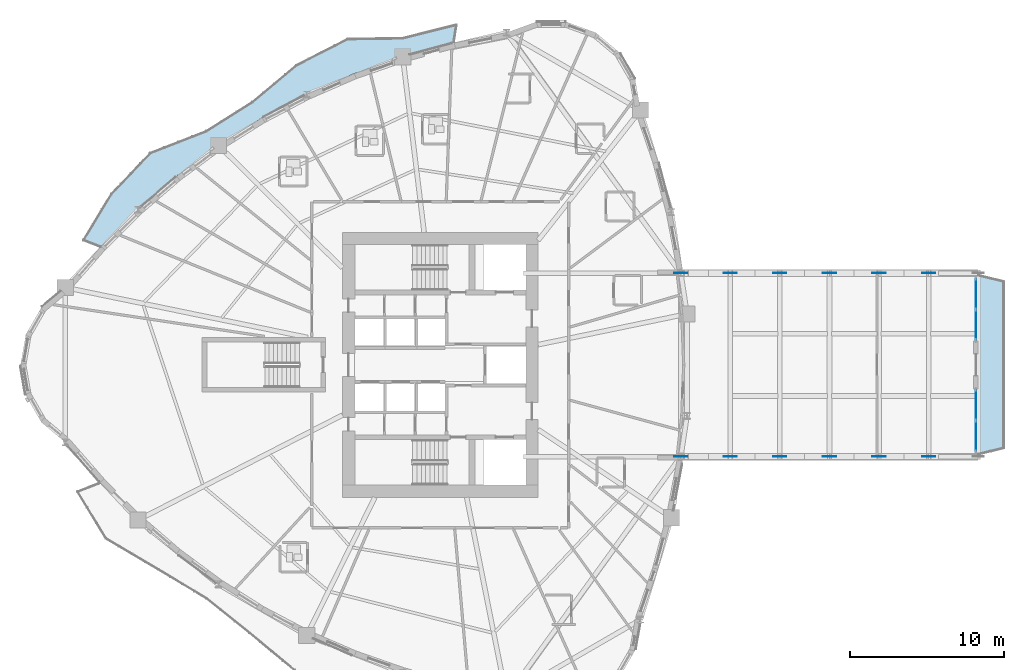
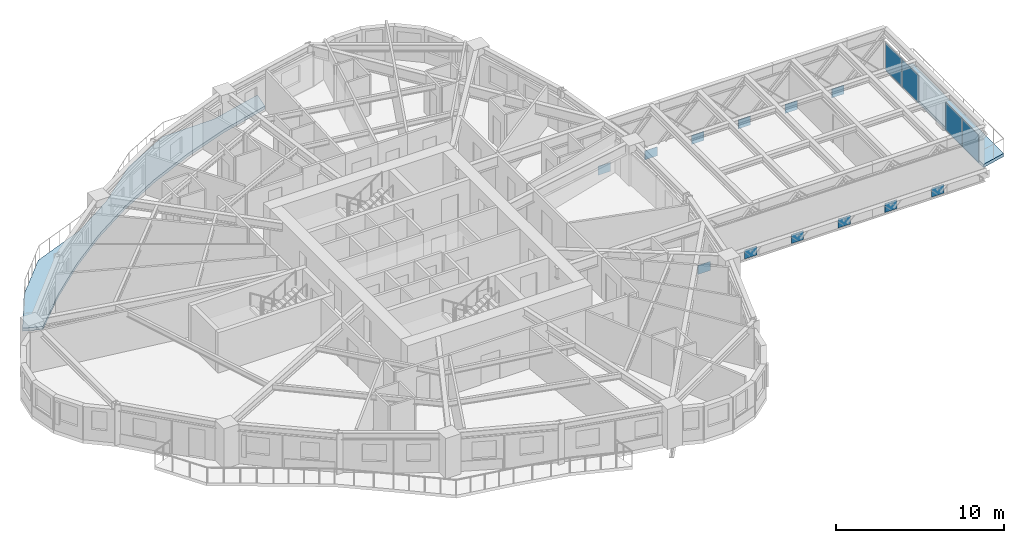
# One storey, part 4 of 18: 16 plates, 2 slabs, 2 elements without a shape of their own.
"""IFC4 building model written with IfcOpenShell, lengths in metres."""

from ifc_helpers import new_model, si_unit, direction, frame, origin, origin_2d, place, context, subcontext, project, spatial, polyline, rectangle, outline, extrude, source, transform, mapped, material, layer, layer_set, type_object, element, aggregate, save


model = new_model("IFC4")

# Units and contexts
model_context = context("Model", 3, precision=1e-05, world=origin(), true_north=direction((0.0, 1.0)))
body_context = subcontext(model_context, "Body", "Model", "MODEL_VIEW")
ifc_project = project(units=[si_unit("LENGTHUNIT", "METRE"), si_unit("AREAUNIT", "SQUARE_METRE"), si_unit("VOLUMEUNIT", "CUBIC_METRE"), si_unit("PLANEANGLEUNIT", "RADIAN"), si_unit("MASSUNIT", "GRAM", prefix="KILO")], contexts=[model_context])

# Site, building, storey
site_placement = place(None, origin())
site = spatial("IfcSite", under=ifc_project, at=site_placement, CompositionType="ELEMENT")
building_placement = place(site_placement, origin())
building = spatial("IfcBuilding", under=site, at=building_placement, Name="Qafzar Sky-Pleat Residences", CompositionType="ELEMENT")
storey_placement = place(building_placement, frame((0.0, 0.0, 27.0)))
storey = spatial("IfcBuildingStorey", under=building, at=storey_placement, Name="L07", CompositionType="ELEMENT", Elevation=27.0)

# Slabs
ifc_material_1 = material(Name="Concrete C40/50", Category="concrete")
ifc_layer_1 = layer(ifc_material_1, 0.219970703125)
ifc_layer_set_1 = layer_set([ifc_layer_1], Name="Concrete C40/50")
slab_type_1 = type_object("IfcSlabType", Name="SLAB-BAL-220", PredefinedType="USERDEFINED", material=ifc_layer_set_1)
slab_1_placement = place(storey_placement, frame((0.0, 0.0, -0.219970703125)))
element("IfcSlab", 1, at=slab_1_placement, inside=storey, type_object=slab_type_1, Name="L07 Pleated Stone Balcony 1", ObjectType="BALCONY", PredefinedType="USERDEFINED", context=body_context, shape_type="SweptSolid", body=[
    extrude(outline(polyline([(27.91259765625, 46.001953125), (24.733154296875, 44.892578125), (21.67919921875, 43.565185546875), (18.7509765625, 42.02001953125), (15.948486328125, 40.256591796875), (13.27197265625, 38.275390625), (10.721435546875, 36.076416015625), (8.296875, 33.659912109375), (7.14306640625, 34.1083984375), (8.9609375, 37.10302734375), (11.4814453125, 39.767578125), (15.149169921875, 41.201904296875), (18.1318359375, 43.092041015625), (20.989013671875, 45.48291015625), (24.3359375, 47.189208984375), (27.9072265625, 47.239990234375), (31.406494140625, 48.11669921875), (31.218017578125, 46.893310546875), (27.91259765625, 46.001953125)])), origin(), (0.0, 0.0, 1.0), 0.219970703125),
])
ifc_layer_2 = layer(ifc_material_1, 0.22998046875)
ifc_layer_set_2 = layer_set([ifc_layer_2], Name="Concrete C40/50")
slab_type_2 = type_object("IfcSlabType", Name="SLAB-BAL-230", PredefinedType="USERDEFINED", material=ifc_layer_set_2)
slab_2_placement = place(storey_placement, frame((0.0, 0.0, -0.22998046875)))
element("IfcSlab", 2, at=slab_2_placement, inside=storey, type_object=slab_type_2, Name="L07 SB-1 Tip Observation Balcony", ObjectType="BALCONY", PredefinedType="USERDEFINED", context=body_context, shape_type="SweptSolid", body=[
    extrude(outline(polyline([(65.26953125, 20.199951171875), (66.904541015625, 20.60009765625), (66.904541015625, 31.39990234375), (65.26953125, 31.800048828125), (65.26953125, 20.199951171875)])), origin(), (0.0, 0.0, 1.0), 0.22998046875),
])

# Plates
ifc_material_2 = material(Name="Steel S355", Category="steel")
ifc_layer_3 = layer(ifc_material_2, 0.034912109375)
ifc_layer_set_3 = layer_set([ifc_layer_3], Name="Steel S355")
plate_type_1 = type_object("IfcPlateType", Name="PLT-NODE-SBN1", PredefinedType="SHEET", material=ifc_layer_set_3)
shared_shape_1 = source(origin(), body_context, "Body", "SweptSolid", [
    extrude(rectangle(XDim=0.85009765625, YDim=0.034912109375, at=origin_2d()), origin(), (0.0, 0.0, 1.0), 0.64990234375),
])
for number, where, z_axis, x_axis, name in (
    (3, (45.949951171875, 31.949951171875, -0.989990234375), (0.0, 0.0, 1.0), (1.0, 0.0, 0.0), "SB-1 Truss Node Plate L0"),
    (4, (49.16748046875, 31.949951171875, -0.989990234375), (0.0, 0.0, 1.0), (1.0, 0.0, 0.0), "SB-1 Truss Node Plate L1"),
    (5, (52.384765625, 31.949951171875, -0.989990234375), (0.0, 0.0, 1.0), (1.0, 0.0, 0.0), "SB-1 Truss Node Plate L2"),
    (6, (55.602294921875, 31.949951171875, -0.989990234375), (0.0, 0.0, 1.0), (1.0, 0.0, 0.0), "SB-1 Truss Node Plate L3"),
    (7, (58.819580078125, 31.949951171875, -0.989990234375), (0.0, 0.0, 1.0), (1.0, 0.0, 0.0), "SB-1 Truss Node Plate L4"),
    (8, (62.037109375, 31.949951171875, -0.989990234375), (0.0, 0.0, 1.0), (1.0, 0.0, 0.0), "SB-1 Truss Node Plate L5"),
    (9, (45.949951171875, 20.050048828125, -0.989990234375), (0.0, 0.0, 1.0), (1.0, 0.0, 0.0), "SB-1 Truss Node Plate R0"),
    (10, (49.16748046875, 20.050048828125, -0.989990234375), (0.0, 0.0, 1.0), (1.0, 0.0, 0.0), "SB-1 Truss Node Plate R1"),
    (11, (52.384765625, 20.050048828125, -0.989990234375), (0.0, 0.0, 1.0), (1.0, 0.0, 0.0), "SB-1 Truss Node Plate R2"),
    (12, (55.602294921875, 20.050048828125, -0.989990234375), (0.0, 0.0, 1.0), (1.0, 0.0, 0.0), "SB-1 Truss Node Plate R3"),
    (13, (58.819580078125, 20.050048828125, -0.989990234375), (0.0, 0.0, 1.0), (1.0, 0.0, 0.0), "SB-1 Truss Node Plate R4"),
    (14, (62.037109375, 20.050048828125, -0.989990234375), (0.0, 0.0, 1.0), (1.0, 0.0, 0.0), "SB-1 Truss Node Plate R5"),
):
    element("IfcPlate", number, at=place(storey_placement, frame(where, z_axis=z_axis, x_axis=x_axis)), inside=storey, type_object=plate_type_1, Name=name, PredefinedType="SHEET", context=body_context, shape_type="MappedRepresentation", body=[
        mapped(shared_shape_1, transform((0.0, 0.0, 0.0), x_axis=(1.0, 0.0, 0.0), y_axis=(0.0, 1.0, 0.0), z_axis=(0.0, 0.0, 1.0), scale=1.0)),
    ])

# Curtain wall, plates
ifc_material_3 = material(Name="Anodised bronze aluminium framing", Category="aluminium")
ifc_layer_4 = layer(ifc_material_3, 0.239990234375)
ifc_layer_set_4 = layer_set([ifc_layer_4], Name="Anodised bronze aluminium framing")
curtain_wall_type_1 = type_object("IfcCurtainWallType", Name="CW-SYS-02", PredefinedType="NOTDEFINED", material=ifc_layer_set_4)
curtain_wall_1_placement = place(storey_placement, origin())
curtain_wall_1 = element("IfcCurtainWall", 15, at=curtain_wall_1_placement, inside=storey, type_object=curtain_wall_type_1, Name="L07 CW-02 Curtain Wall CW-L07-SB-1-PROW-L", PredefinedType="NOTDEFINED")
ifc_material_4 = material(Name="Solar-control double low-E glazing", Category="glass")
ifc_layer_5 = layer(ifc_material_4, 0.031982421875)
ifc_layer_set_5 = layer_set([ifc_layer_5], Name="Solar-control double low-E glazing")
plate_type_2 = type_object("IfcPlateType", Name="CWP-02", PredefinedType="CURTAIN_PANEL", material=ifc_layer_set_5)
shared_shape_2 = source(origin(), body_context, "Body", "SweptSolid", [
    extrude(rectangle(XDim=1.927490234375, YDim=0.031982421875, at=origin_2d()), origin(), (0.0, 0.0, 1.0), 1.965087890625),
])
plate_1_placement = place(storey_placement, frame((65.1044921875, 30.601318359375, 0.0751953125), z_axis=(0.0, 0.0, 1.0), x_axis=(0.0, -1.0, 0.0)))
plate_1 = element("IfcPlate", 16, at=plate_1_placement, type_object=plate_type_2, Name="CW-02 panel 1.1", PredefinedType="CURTAIN_PANEL", context=body_context, shape_type="MappedRepresentation", body=[
    mapped(shared_shape_2, transform((0.0, 0.0, 0.0), x_axis=(1.0, 0.0, 0.0), y_axis=(0.0, 1.0, 0.0), z_axis=(0.0, 0.0, 1.0), scale=1.0)),
])
plate_2_placement = place(storey_placement, frame((65.1044921875, 28.5986328125, 0.0751953125), z_axis=(0.0, 0.0, 1.0), x_axis=(0.0, -1.0, 0.0)))
plate_2 = element("IfcPlate", 17, at=plate_2_placement, type_object=plate_type_2, Name="CW-02 panel 2.1", PredefinedType="CURTAIN_PANEL", context=body_context, shape_type="MappedRepresentation", body=[
    mapped(shared_shape_2, transform((0.0, 0.0, 0.0), x_axis=(1.0, 0.0, 0.0), y_axis=(0.0, 1.0, 0.0), z_axis=(0.0, 0.0, 1.0), scale=1.0)),
])
aggregate(curtain_wall_1, [plate_1, plate_2])

ifc_layer_6 = layer(ifc_material_3, 0.219970703125)
ifc_layer_set_6 = layer_set([ifc_layer_6], Name="Anodised bronze aluminium framing")
curtain_wall_type_2 = type_object("IfcCurtainWallType", Name="CW-SYS-03", PredefinedType="NOTDEFINED", material=ifc_layer_set_6)
curtain_wall_2_placement = place(storey_placement, origin())
curtain_wall_2 = element("IfcCurtainWall", 18, at=curtain_wall_2_placement, inside=storey, type_object=curtain_wall_type_2, Name="L07 CW-03 Curtain Wall CW-L07-SB-1-PROW-R", PredefinedType="NOTDEFINED")
ifc_layer_7 = layer(ifc_material_4, 0.030029296875)
ifc_layer_set_7 = layer_set([ifc_layer_7], Name="Solar-control double low-E glazing")
plate_type_3 = type_object("IfcPlateType", Name="CWP-03", PredefinedType="CURTAIN_PANEL", material=ifc_layer_set_7)
shared_shape_3 = source(origin(), body_context, "Body", "SweptSolid", [
    extrude(rectangle(XDim=1.93505859375, YDim=0.030029296875, at=origin_2d()), origin(), (0.0, 0.0, 1.0), 1.97509765625),
])
plate_3_placement = place(storey_placement, frame((65.1044921875, 23.402587890625, 0.070068359375), z_axis=(0.0, 0.0, 1.0), x_axis=(0.0, -1.0, 0.0)))
plate_3 = element("IfcPlate", 19, at=plate_3_placement, type_object=plate_type_3, Name="CW-03 panel 1.1", PredefinedType="CURTAIN_PANEL", context=body_context, shape_type="MappedRepresentation", body=[
    mapped(shared_shape_3, transform((0.0, 0.0, 0.0), x_axis=(1.0, 0.0, 0.0), y_axis=(0.0, 1.0, 0.0), z_axis=(0.0, 0.0, 1.0), scale=1.0)),
])
plate_4_placement = place(storey_placement, frame((65.1044921875, 21.3974609375, 0.070068359375), z_axis=(0.0, 0.0, 1.0), x_axis=(0.0, -1.0, 0.0)))
plate_4 = element("IfcPlate", 20, at=plate_4_placement, type_object=plate_type_3, Name="CW-03 panel 2.1", PredefinedType="CURTAIN_PANEL", context=body_context, shape_type="MappedRepresentation", body=[
    mapped(shared_shape_3, transform((0.0, 0.0, 0.0), x_axis=(1.0, 0.0, 0.0), y_axis=(0.0, 1.0, 0.0), z_axis=(0.0, 0.0, 1.0), scale=1.0)),
])
aggregate(curtain_wall_2, [plate_3, plate_4])

save(model, "model.ifc")
